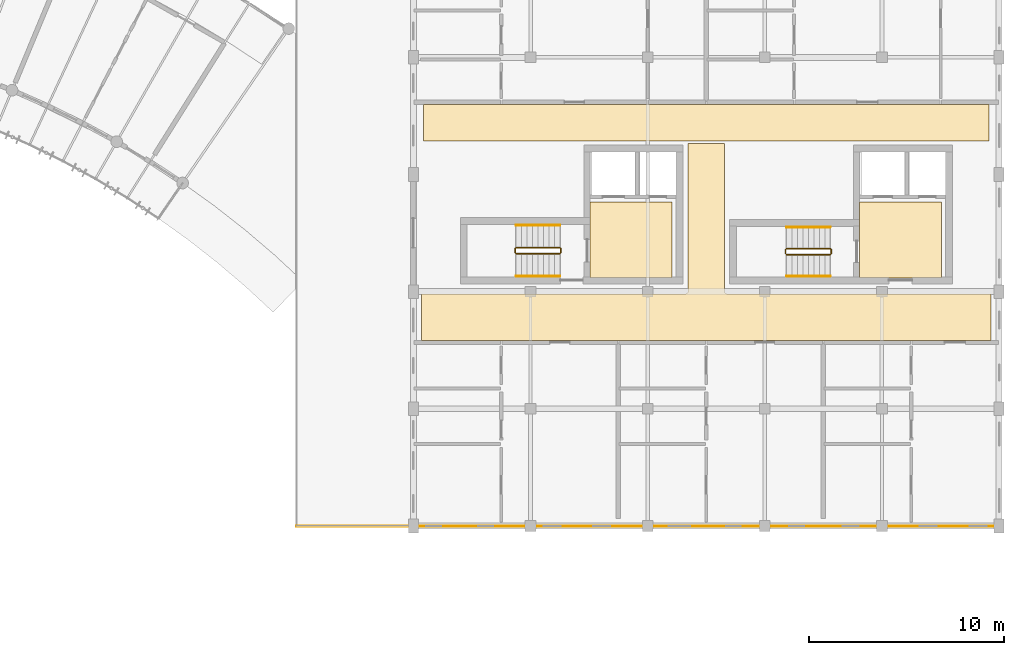
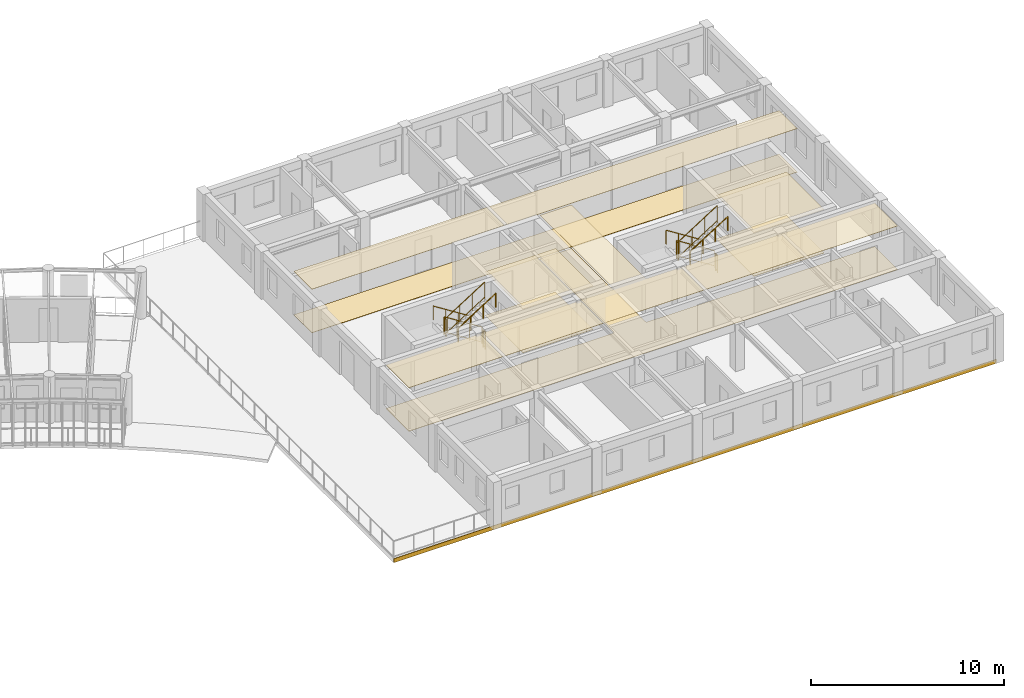
# One storey, part 100 of 101: 12 railings, 9 coverings.
"""IFC4 building model written with IfcOpenShell, lengths in metres."""

from ifc_helpers import new_model, si_unit, direction, frame, origin, origin_2d, place, context, subcontext, project, spatial, polyline, circle, outline, extrude, material, layer, layer_set, type_object, element, save


model = new_model("IFC4")

# Units and contexts
model_context = context("Model", 3, precision=1e-05, world=origin(), true_north=direction((0.0, 1.0)))
body_context = subcontext(model_context, "Body", "Model", "MODEL_VIEW")
ifc_project = project(units=[si_unit("LENGTHUNIT", "METRE"), si_unit("AREAUNIT", "SQUARE_METRE"), si_unit("VOLUMEUNIT", "CUBIC_METRE"), si_unit("PLANEANGLEUNIT", "RADIAN"), si_unit("MASSUNIT", "GRAM", prefix="KILO"), si_unit("POWERUNIT", "WATT"), si_unit("THERMODYNAMICTEMPERATUREUNIT", "KELVIN")], contexts=[model_context])

# Site, building, storey
site_placement = place(None, origin())
site = spatial("IfcSite", under=ifc_project, at=site_placement, CompositionType="ELEMENT")
building_placement = place(site_placement, origin())
building = spatial("IfcBuilding", under=site, at=building_placement, Name="Ruvembo Vaulted Housing Court", CompositionType="ELEMENT")
storey_placement = place(building_placement, frame((0.0, 0.0, 17.300048828125)))
storey = spatial("IfcBuildingStorey", under=building, at=storey_placement, Name="L05", CompositionType="ELEMENT", Elevation=17.300048828125)

# Coverings
ifc_material_1 = material(Name="Perforated Mineral-Fibre Acoustic Tile", Category="gypsum")
ifc_layer_1 = layer(ifc_material_1, 0.02001953125, Name="Perforated Mineral-Fibre Acoustic Tile")
ifc_layer_set_1 = layer_set([ifc_layer_1], Name="Perforated Mineral-Fibre Acoustic Tile")
covering_type_1 = type_object("IfcCoveringType", Name="COV-CEIL-ACOUST", PredefinedType="CEILING", material=ifc_layer_set_1)
covering_1_placement = place(storey_placement, frame((0.0, 0.0, 2.75)))
element("IfcCovering", 1, at=covering_1_placement, inside=storey, type_object=covering_type_1, Name="Protected Core Lobby D1 Ceiling", PredefinedType="CEILING", context=body_context, shape_type="SweptSolid", body=[
    extrude(outline(polyline([(169.25, 88.60009765625), (165.050048828125, 88.60009765625), (165.050048828125, 84.699951171875), (169.25, 84.699951171875), (169.25, 88.60009765625)])), origin(), (0.0, 0.0, 1.0), 0.02001953125),
])
covering_2_placement = place(storey_placement, frame((0.0, 0.0, 2.75)))
element("IfcCovering", 2, at=covering_2_placement, inside=storey, type_object=covering_type_1, Name="Protected Core Lobby D2 Ceiling", PredefinedType="CEILING", context=body_context, shape_type="SweptSolid", body=[
    extrude(outline(polyline([(183.050048828125, 88.60009765625), (178.85009765625, 88.60009765625), (178.85009765625, 84.699951171875), (183.050048828125, 84.699951171875), (183.050048828125, 88.60009765625)])), origin(), (0.0, 0.0, 1.0), 0.02001953125),
])
covering_3_placement = place(storey_placement, frame((0.0, 0.0, 2.75)))
element("IfcCovering", 3, at=covering_3_placement, inside=storey, type_object=covering_type_1, Name="Block D L05 Corridor Ceiling", PredefinedType="CEILING", context=body_context, shape_type="SweptSolid", body=[
    extrude(outline(polyline([(185.590087890625, 81.510009765625), (185.590087890625, 83.889892578125), (172.050048828125, 83.889892578125), (172.039306640625, 83.890380859375), (172.028564453125, 83.89208984375), (172.01806640625, 83.894775390625), (172.0078125, 83.8984375), (171.998046875, 83.903076171875), (171.989013671875, 83.908447265625), (171.980224609375, 83.9150390625), (171.97216796875, 83.922119140625), (171.965087890625, 83.93017578125), (171.95849609375, 83.93896484375), (171.952880859375, 83.947998046875), (171.948486328125, 83.9580078125), (171.944580078125, 83.968017578125), (171.942138671875, 83.978515625), (171.9404296875, 83.9892578125), (171.93994140625, 84.0), (171.93994140625, 91.590087890625), (170.06005859375, 91.590087890625), (170.06005859375, 84.0), (170.0595703125, 83.9892578125), (170.057861328125, 83.978515625), (170.055419921875, 83.968017578125), (170.051513671875, 83.9580078125), (170.047119140625, 83.947998046875), (170.04150390625, 83.93896484375), (170.034912109375, 83.93017578125), (170.02783203125, 83.922119140625), (170.019775390625, 83.9150390625), (170.010986328125, 83.908447265625), (170.001953125, 83.903076171875), (169.9921875, 83.8984375), (169.98193359375, 83.894775390625), (169.971435546875, 83.89208984375), (169.960693359375, 83.890380859375), (169.949951171875, 83.889892578125), (156.409912109375, 83.889892578125), (156.409912109375, 81.510009765625), (185.590087890625, 81.510009765625)])), origin(), (0.0, 0.0, 1.0), 0.02001953125),
])
covering_4_placement = place(storey_placement, frame((0.0, 0.0, 2.75)))
element("IfcCovering", 4, at=covering_4_placement, inside=storey, type_object=covering_type_1, Name="Block D L05 North Sub-Corridor Ceiling", PredefinedType="CEILING", context=body_context, shape_type="SweptSolid", body=[
    extrude(outline(polyline([(156.510009765625, 91.7099609375), (185.489990234375, 91.7099609375), (185.489990234375, 93.590087890625), (156.510009765625, 93.590087890625), (156.510009765625, 91.7099609375)])), origin(), (0.0, 0.0, 1.0), 0.02001953125),
])
ifc_material_2 = material(Name="Lime-Cement Mineral Render", Category="plaster")
ifc_layer_2 = layer(ifc_material_2, 0.02490234375, Name="Lime-Cement Mineral Render")
ifc_layer_set_2 = layer_set([ifc_layer_2], Name="Lime-Cement Mineral Render")
covering_type_2 = type_object("IfcCoveringType", Name="COV-CLAD-RENDER", PredefinedType="CLADDING", material=ifc_layer_set_2)
covering_5_placement = place(storey_placement, frame((0.0, 0.0, -0.25)))
element("IfcCovering", 5, at=covering_5_placement, inside=storey, type_object=covering_type_2, Name="Block D L05 Mineral Render Fascia Band", PredefinedType="CLADDING", context=body_context, shape_type="SweptSolid", body=[
    extrude(outline(polyline([(150.0, 71.969970703125), (186.0, 71.969970703125), (186.0, 72.0), (150.0, 72.0), (150.0, 71.969970703125)])), origin(), (0.0, 0.0, 1.0), 0.25),
])
ifc_material_3 = material(Name="Polished Cement-Aggregate Terrazzo", Category="stone")
ifc_layer_3 = layer(ifc_material_3, 0.02197265625, Name="Polished Cement-Aggregate Terrazzo")
ifc_layer_set_3 = layer_set([ifc_layer_3], Name="Polished Cement-Aggregate Terrazzo")
covering_type_3 = type_object("IfcCoveringType", Name="COV-FLR-CERAMIC", PredefinedType="FLOORING", material=ifc_layer_set_3)
covering_6_placement = place(storey_placement, origin())
element("IfcCovering", 6, at=covering_6_placement, inside=storey, type_object=covering_type_3, Name="Protected Core Lobby D1 Flooring", PredefinedType="FLOORING", context=body_context, shape_type="SweptSolid", body=[
    extrude(outline(polyline([(169.25, 88.60009765625), (165.050048828125, 88.60009765625), (165.050048828125, 84.699951171875), (169.25, 84.699951171875), (169.25, 88.60009765625)])), origin(), (0.0, 0.0, 1.0), 0.02197265625),
])
covering_7_placement = place(storey_placement, origin())
element("IfcCovering", 7, at=covering_7_placement, inside=storey, type_object=covering_type_3, Name="Protected Core Lobby D2 Flooring", PredefinedType="FLOORING", context=body_context, shape_type="SweptSolid", body=[
    extrude(outline(polyline([(183.050048828125, 88.60009765625), (178.85009765625, 88.60009765625), (178.85009765625, 84.699951171875), (183.050048828125, 84.699951171875), (183.050048828125, 88.60009765625)])), origin(), (0.0, 0.0, 1.0), 0.02197265625),
])
covering_8_placement = place(storey_placement, origin())
element("IfcCovering", 8, at=covering_8_placement, inside=storey, type_object=covering_type_3, Name="Block D L05 Corridor Flooring", PredefinedType="FLOORING", context=body_context, shape_type="SweptSolid", body=[
    extrude(outline(polyline([(185.590087890625, 81.510009765625), (185.590087890625, 83.889892578125), (172.050048828125, 83.889892578125), (172.039306640625, 83.890380859375), (172.028564453125, 83.89208984375), (172.01806640625, 83.894775390625), (172.0078125, 83.8984375), (171.998046875, 83.903076171875), (171.989013671875, 83.908447265625), (171.980224609375, 83.9150390625), (171.97216796875, 83.922119140625), (171.965087890625, 83.93017578125), (171.95849609375, 83.93896484375), (171.952880859375, 83.947998046875), (171.948486328125, 83.9580078125), (171.944580078125, 83.968017578125), (171.942138671875, 83.978515625), (171.9404296875, 83.9892578125), (171.93994140625, 84.0), (171.93994140625, 91.590087890625), (170.06005859375, 91.590087890625), (170.06005859375, 84.0), (170.0595703125, 83.9892578125), (170.057861328125, 83.978515625), (170.055419921875, 83.968017578125), (170.051513671875, 83.9580078125), (170.047119140625, 83.947998046875), (170.04150390625, 83.93896484375), (170.034912109375, 83.93017578125), (170.02783203125, 83.922119140625), (170.019775390625, 83.9150390625), (170.010986328125, 83.908447265625), (170.001953125, 83.903076171875), (169.9921875, 83.8984375), (169.98193359375, 83.894775390625), (169.971435546875, 83.89208984375), (169.960693359375, 83.890380859375), (169.949951171875, 83.889892578125), (156.409912109375, 83.889892578125), (156.409912109375, 81.510009765625), (185.590087890625, 81.510009765625)])), origin(), (0.0, 0.0, 1.0), 0.02197265625),
])
covering_9_placement = place(storey_placement, origin())
element("IfcCovering", 9, at=covering_9_placement, inside=storey, type_object=covering_type_3, Name="Block D L05 North Sub-Corridor Flooring", PredefinedType="FLOORING", context=body_context, shape_type="SweptSolid", body=[
    extrude(outline(polyline([(156.510009765625, 91.7099609375), (185.489990234375, 91.7099609375), (185.489990234375, 93.590087890625), (156.510009765625, 93.590087890625), (156.510009765625, 91.7099609375)])), origin(), (0.0, 0.0, 1.0), 0.02197265625),
])

# Railings
ifc_material_4 = material(Name="Painted Galvanised Steel S275", Category="steel")
ifc_layer_4 = layer(ifc_material_4, 0.06005859375, Name="Painted Galvanised Steel S275")
ifc_layer_set_4 = layer_set([ifc_layer_4], Name="Painted Galvanised Steel S275")
railing_type_1 = type_object("IfcRailingType", Name="RL-STAIR-GR1100", PredefinedType="GUARDRAIL", material=ifc_layer_set_4)
railing_1_placement = place(storey_placement, frame((163.5, 86.25, 0.177734375)))
element("IfcRailing", 10, at=railing_1_placement, inside=storey, type_object=railing_type_1, Name="L05 ST-D1 stair guard 1", PredefinedType="GUARDRAIL", context=body_context, shape_type="SweptSolid", body=[
    extrude(circle(Radius=0.02392578125, at=origin_2d()), frame((0.0, 0.0, 1.076171875), z_axis=(-0.8442293374, 0.0, 0.53598211339), x_axis=(0.0, -1.0, 0.0)), (0.0, 0.0, 1.0), 2.6533203125),
    extrude(circle(Radius=0.01806640625, at=origin_2d()), frame((0.0, 0.0, 0.1201171875), z_axis=(-0.8442293374, 0.0, 0.53598211339), x_axis=(0.0, -1.0, 0.0)), (0.0, 0.0, 1.0), 2.6533203125),
    extrude(circle(Radius=0.02099609375, at=origin_2d()), origin(), (0.0, 0.0, 1.0), 1.052001953125),
    extrude(circle(Radius=0.02099609375, at=origin_2d()), frame((-0.74658203125, 0.0, 0.47412109375)), (0.0, 0.0, 1.0), 1.052001953125),
    extrude(circle(Radius=0.02099609375, at=origin_2d()), frame((-1.493408203125, 0.0, 0.947998046875)), (0.0, 0.0, 1.0), 1.052001953125),
    extrude(circle(Radius=0.02099609375, at=origin_2d()), frame((-2.239990234375, 0.0, 1.422119140625)), (0.0, 0.0, 1.0), 1.052001953125),
])
railing_2_placement = place(storey_placement, frame((161.2099609375, 86.199951171875, 1.599853515625)))
element("IfcRailing", 11, at=railing_2_placement, inside=storey, type_object=railing_type_1, Name="L05 ST-D1 stair guard 2", PredefinedType="GUARDRAIL", context=body_context, shape_type="SweptSolid", body=[
    extrude(circle(Radius=0.02392578125, at=origin_2d()), frame((0.0, 0.0, 1.076171875), z_axis=(0.0, -1.0, 0.0), x_axis=(1.0, 0.0, 0.0)), (0.0, 0.0, 1.0), 0.199951171875),
    extrude(circle(Radius=0.01806640625, at=origin_2d()), frame((0.0, 0.0, 0.1201171875), z_axis=(0.0, -1.0, 0.0), x_axis=(1.0, 0.0, 0.0)), (0.0, 0.0, 1.0), 0.199951171875),
    extrude(circle(Radius=0.02099609375, at=origin_2d()), origin(), (0.0, 0.0, 1.0), 1.052001953125),
    extrude(circle(Radius=0.02099609375, at=origin_2d()), frame((0.0, -0.199951171875, 0.0)), (0.0, 0.0, 1.0), 1.052001953125),
])
railing_3_placement = place(storey_placement, frame((161.260009765625, 85.949951171875, 1.77783203125)))
element("IfcRailing", 12, at=railing_3_placement, inside=storey, type_object=railing_type_1, Name="L05 ST-D1 stair guard 3", PredefinedType="GUARDRAIL", context=body_context, shape_type="SweptSolid", body=[
    extrude(circle(Radius=0.02392578125, at=origin_2d()), frame((0.0, 0.0, 1.076171875), z_axis=(0.8442293374, 0.0, 0.53598211339), x_axis=(0.0, 1.0, 0.0)), (0.0, 0.0, 1.0), 2.6533203125),
    extrude(circle(Radius=0.01806640625, at=origin_2d()), frame((0.0, 0.0, 0.1201171875), z_axis=(0.8442293374, 0.0, 0.53598211339), x_axis=(0.0, 1.0, 0.0)), (0.0, 0.0, 1.0), 2.6533203125),
    extrude(circle(Radius=0.02099609375, at=origin_2d()), origin(), (0.0, 0.0, 1.0), 1.052001953125),
    extrude(circle(Radius=0.02099609375, at=origin_2d()), frame((0.74658203125, 0.0, 0.47412109375)), (0.0, 0.0, 1.0), 1.052001953125),
    extrude(circle(Radius=0.02099609375, at=origin_2d()), frame((1.493408203125, 0.0, 0.947998046875)), (0.0, 0.0, 1.0), 1.052001953125),
    extrude(circle(Radius=0.02099609375, at=origin_2d()), frame((2.239990234375, 0.0, 1.422119140625)), (0.0, 0.0, 1.0), 1.052001953125),
])
railing_4_placement = place(storey_placement, frame((163.550048828125, 86.199951171875, 0.0)))
element("IfcRailing", 13, at=railing_4_placement, inside=storey, type_object=railing_type_1, Name="L05 ST-D1 stair guard 4", PredefinedType="GUARDRAIL", context=body_context, shape_type="SweptSolid", body=[
    extrude(circle(Radius=0.02392578125, at=origin_2d()), frame((0.0, 0.0, 1.076171875), z_axis=(0.0, -1.0, 0.0), x_axis=(1.0, 0.0, 0.0)), (0.0, 0.0, 1.0), 0.199951171875),
    extrude(circle(Radius=0.01806640625, at=origin_2d()), frame((0.0, 0.0, 0.1201171875), z_axis=(0.0, -1.0, 0.0), x_axis=(1.0, 0.0, 0.0)), (0.0, 0.0, 1.0), 0.199951171875),
    extrude(circle(Radius=0.02099609375, at=origin_2d()), origin(), (0.0, 0.0, 1.0), 1.052001953125),
    extrude(circle(Radius=0.02099609375, at=origin_2d()), frame((0.0, -0.199951171875, 0.0)), (0.0, 0.0, 1.0), 1.052001953125),
])
railing_5_placement = place(storey_placement, frame((177.35009765625, 86.199951171875, 0.177734375)))
element("IfcRailing", 14, at=railing_5_placement, inside=storey, type_object=railing_type_1, Name="L05 ST-D2 stair guard 1", PredefinedType="GUARDRAIL", context=body_context, shape_type="SweptSolid", body=[
    extrude(circle(Radius=0.02392578125, at=origin_2d()), frame((0.0, 0.0, 1.076171875), z_axis=(-0.8442293374, 0.0, 0.53598211339), x_axis=(0.0, -1.0, 0.0)), (0.0, 0.0, 1.0), 2.6533203125),
    extrude(circle(Radius=0.01806640625, at=origin_2d()), frame((0.0, 0.0, 0.1201171875), z_axis=(-0.8442293374, 0.0, 0.53598211339), x_axis=(0.0, -1.0, 0.0)), (0.0, 0.0, 1.0), 2.6533203125),
    extrude(circle(Radius=0.02099609375, at=origin_2d()), origin(), (0.0, 0.0, 1.0), 1.052001953125),
    extrude(circle(Radius=0.02099609375, at=origin_2d()), frame((-0.74658203125, 0.0, 0.47412109375)), (0.0, 0.0, 1.0), 1.052001953125),
    extrude(circle(Radius=0.02099609375, at=origin_2d()), frame((-1.493408203125, 0.0, 0.947998046875)), (0.0, 0.0, 1.0), 1.052001953125),
    extrude(circle(Radius=0.02099609375, at=origin_2d()), frame((-2.239990234375, 0.0, 1.422119140625)), (0.0, 0.0, 1.0), 1.052001953125),
])
railing_6_placement = place(storey_placement, frame((175.06005859375, 86.14990234375, 1.599853515625)))
element("IfcRailing", 15, at=railing_6_placement, inside=storey, type_object=railing_type_1, Name="L05 ST-D2 stair guard 2", PredefinedType="GUARDRAIL", context=body_context, shape_type="SweptSolid", body=[
    extrude(circle(Radius=0.02392578125, at=origin_2d()), frame((0.0, 0.0, 1.076171875), z_axis=(0.0, -1.0, 0.0), x_axis=(1.0, 0.0, 0.0)), (0.0, 0.0, 1.0), 0.199951171875),
    extrude(circle(Radius=0.01806640625, at=origin_2d()), frame((0.0, 0.0, 0.1201171875), z_axis=(0.0, -1.0, 0.0), x_axis=(1.0, 0.0, 0.0)), (0.0, 0.0, 1.0), 0.199951171875),
    extrude(circle(Radius=0.02099609375, at=origin_2d()), origin(), (0.0, 0.0, 1.0), 1.052001953125),
    extrude(circle(Radius=0.02099609375, at=origin_2d()), frame((0.0, -0.199951171875, 0.0)), (0.0, 0.0, 1.0), 1.052001953125),
])
railing_7_placement = place(storey_placement, frame((175.110107421875, 85.89990234375, 1.77783203125)))
element("IfcRailing", 16, at=railing_7_placement, inside=storey, type_object=railing_type_1, Name="L05 ST-D2 stair guard 3", PredefinedType="GUARDRAIL", context=body_context, shape_type="SweptSolid", body=[
    extrude(circle(Radius=0.02392578125, at=origin_2d()), frame((0.0, 0.0, 1.076171875), z_axis=(0.8442293374, 0.0, 0.53598211339), x_axis=(0.0, 1.0, 0.0)), (0.0, 0.0, 1.0), 2.6533203125),
    extrude(circle(Radius=0.01806640625, at=origin_2d()), frame((0.0, 0.0, 0.1201171875), z_axis=(0.8442293374, 0.0, 0.53598211339), x_axis=(0.0, 1.0, 0.0)), (0.0, 0.0, 1.0), 2.6533203125),
    extrude(circle(Radius=0.02099609375, at=origin_2d()), origin(), (0.0, 0.0, 1.0), 1.052001953125),
    extrude(circle(Radius=0.02099609375, at=origin_2d()), frame((0.74658203125, 0.0, 0.47412109375)), (0.0, 0.0, 1.0), 1.052001953125),
    extrude(circle(Radius=0.02099609375, at=origin_2d()), frame((1.493408203125, 0.0, 0.947998046875)), (0.0, 0.0, 1.0), 1.052001953125),
    extrude(circle(Radius=0.02099609375, at=origin_2d()), frame((2.239990234375, 0.0, 1.422119140625)), (0.0, 0.0, 1.0), 1.052001953125),
])
railing_8_placement = place(storey_placement, frame((177.39990234375, 86.14990234375, 0.0)))
element("IfcRailing", 17, at=railing_8_placement, inside=storey, type_object=railing_type_1, Name="L05 ST-D2 stair guard 4", PredefinedType="GUARDRAIL", context=body_context, shape_type="SweptSolid", body=[
    extrude(circle(Radius=0.02392578125, at=origin_2d()), frame((0.0, 0.0, 1.076171875), z_axis=(0.0, -1.0, 0.0), x_axis=(1.0, 0.0, 0.0)), (0.0, 0.0, 1.0), 0.199951171875),
    extrude(circle(Radius=0.01806640625, at=origin_2d()), frame((0.0, 0.0, 0.1201171875), z_axis=(0.0, -1.0, 0.0), x_axis=(1.0, 0.0, 0.0)), (0.0, 0.0, 1.0), 0.199951171875),
    extrude(circle(Radius=0.02099609375, at=origin_2d()), origin(), (0.0, 0.0, 1.0), 1.052001953125),
    extrude(circle(Radius=0.02099609375, at=origin_2d()), frame((0.0, -0.199951171875, 0.0)), (0.0, 0.0, 1.0), 1.052001953125),
])
ifc_material_5 = material(Name="Brushed Stainless Steel 304", Category="steel")
ifc_layer_5 = layer(ifc_material_5, 0.050048828125, Name="Brushed Stainless Steel 304")
ifc_layer_set_5 = layer_set([ifc_layer_5], Name="Brushed Stainless Steel 304")
railing_type_2 = type_object("IfcRailingType", Name="RL-STAIR-HR920", PredefinedType="HANDRAIL", material=ifc_layer_set_5)
railing_9_placement = place(storey_placement, frame((163.5, 87.39990234375, 0.359130859375)))
element("IfcRailing", 18, at=railing_9_placement, inside=storey, type_object=railing_type_2, Name="L05 ST-D1 stair handrail 1", PredefinedType="HANDRAIL", context=body_context, shape_type="SweptSolid", body=[
    extrude(circle(Radius=0.02392578125, at=origin_2d()), frame((0.0, 0.0, 0.8759765625), z_axis=(-0.84418770128, 0.0, 0.536047689118), x_axis=(0.0, -1.0, 0.0)), (0.0, 0.0, 1.0), 2.6533203125),
    extrude(circle(Radius=0.02099609375, at=origin_2d()), origin(), (0.0, 0.0, 1.0), 0.851806640625),
    extrude(circle(Radius=0.02099609375, at=origin_2d()), frame((-0.74658203125, 0.0, 0.47412109375)), (0.0, 0.0, 1.0), 0.851806640625),
    extrude(circle(Radius=0.02099609375, at=origin_2d()), frame((-1.493408203125, 0.0, 0.9482421875)), (0.0, 0.0, 1.0), 0.851806640625),
    extrude(circle(Radius=0.02099609375, at=origin_2d()), frame((-2.239990234375, 0.0, 1.42236328125)), (0.0, 0.0, 1.0), 0.851806640625),
])
railing_10_placement = place(storey_placement, frame((161.260009765625, 84.800048828125, 1.959228515625)))
element("IfcRailing", 19, at=railing_10_placement, inside=storey, type_object=railing_type_2, Name="L05 ST-D1 stair handrail 2", PredefinedType="HANDRAIL", context=body_context, shape_type="SweptSolid", body=[
    extrude(circle(Radius=0.02392578125, at=origin_2d()), frame((0.0, 0.0, 0.8759765625), z_axis=(0.8442293374, 0.0, 0.53598211339), x_axis=(0.0, 1.0, 0.0)), (0.0, 0.0, 1.0), 2.6533203125),
    extrude(circle(Radius=0.02099609375, at=origin_2d()), origin(), (0.0, 0.0, 1.0), 0.851806640625),
    extrude(circle(Radius=0.02099609375, at=origin_2d()), frame((0.74658203125, 0.0, 0.47412109375)), (0.0, 0.0, 1.0), 0.851806640625),
    extrude(circle(Radius=0.02099609375, at=origin_2d()), frame((1.493408203125, 0.0, 0.947998046875)), (0.0, 0.0, 1.0), 0.851806640625),
    extrude(circle(Radius=0.02099609375, at=origin_2d()), frame((2.239990234375, 0.0, 1.422119140625)), (0.0, 0.0, 1.0), 0.851806640625),
])
railing_11_placement = place(storey_placement, frame((177.35009765625, 87.300048828125, 0.359130859375)))
element("IfcRailing", 20, at=railing_11_placement, inside=storey, type_object=railing_type_2, Name="L05 ST-D2 stair handrail 1", PredefinedType="HANDRAIL", context=body_context, shape_type="SweptSolid", body=[
    extrude(circle(Radius=0.02392578125, at=origin_2d()), frame((0.0, 0.0, 0.8759765625), z_axis=(-0.84418770128, 0.0, 0.536047689118), x_axis=(0.0, -1.0, 0.0)), (0.0, 0.0, 1.0), 2.6533203125),
    extrude(circle(Radius=0.02099609375, at=origin_2d()), origin(), (0.0, 0.0, 1.0), 0.851806640625),
    extrude(circle(Radius=0.02099609375, at=origin_2d()), frame((-0.74658203125, 0.0, 0.47412109375)), (0.0, 0.0, 1.0), 0.851806640625),
    extrude(circle(Radius=0.02099609375, at=origin_2d()), frame((-1.493408203125, 0.0, 0.9482421875)), (0.0, 0.0, 1.0), 0.851806640625),
    extrude(circle(Radius=0.02099609375, at=origin_2d()), frame((-2.239990234375, 0.0, 1.42236328125)), (0.0, 0.0, 1.0), 0.851806640625),
])
railing_12_placement = place(storey_placement, frame((175.110107421875, 84.800048828125, 1.959228515625)))
element("IfcRailing", 21, at=railing_12_placement, inside=storey, type_object=railing_type_2, Name="L05 ST-D2 stair handrail 2", PredefinedType="HANDRAIL", context=body_context, shape_type="SweptSolid", body=[
    extrude(circle(Radius=0.02392578125, at=origin_2d()), frame((0.0, 0.0, 0.8759765625), z_axis=(0.8442293374, 0.0, 0.53598211339), x_axis=(0.0, 1.0, 0.0)), (0.0, 0.0, 1.0), 2.6533203125),
    extrude(circle(Radius=0.02099609375, at=origin_2d()), origin(), (0.0, 0.0, 1.0), 0.851806640625),
    extrude(circle(Radius=0.02099609375, at=origin_2d()), frame((0.74658203125, 0.0, 0.47412109375)), (0.0, 0.0, 1.0), 0.851806640625),
    extrude(circle(Radius=0.02099609375, at=origin_2d()), frame((1.493408203125, 0.0, 0.947998046875)), (0.0, 0.0, 1.0), 0.851806640625),
    extrude(circle(Radius=0.02099609375, at=origin_2d()), frame((2.239990234375, 0.0, 1.422119140625)), (0.0, 0.0, 1.0), 0.851806640625),
])

save(model, "model.ifc")
